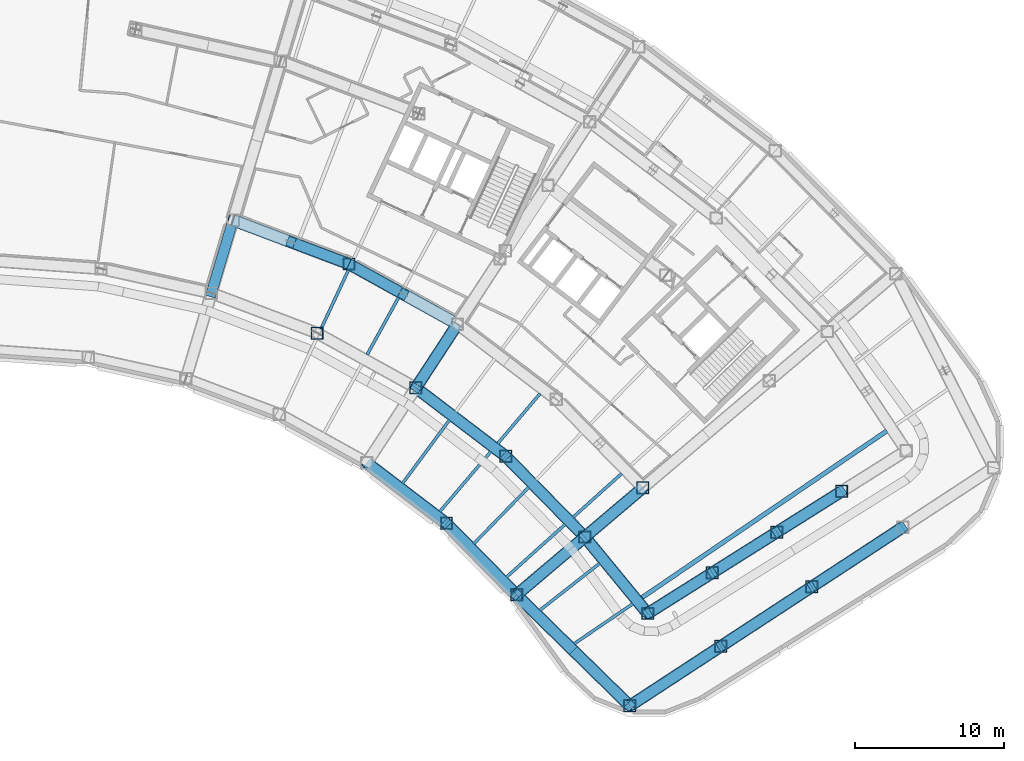
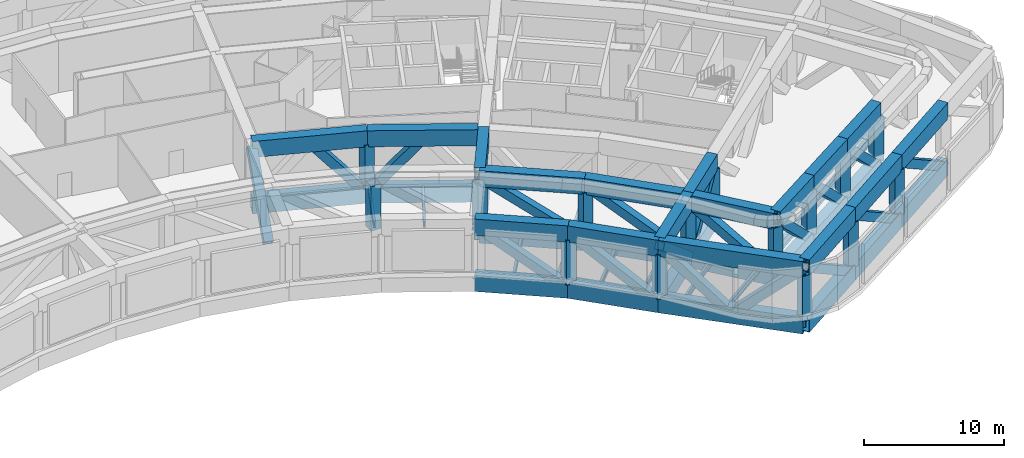
# One storey, part 5 of 30: 45 beams, 34 members.
"""IFC4 building model written with IfcOpenShell, lengths in metres."""

from ifc_helpers import new_model, si_unit, direction, frame, origin, origin_2d, place, context, subcontext, project, spatial, hollow_rectangle, i_section, extrude, material, material_profile, profile_set, type_object, element, save


model = new_model("IFC4")

# Units and contexts
model_context = context("Model", 3, precision=1e-05, world=origin(), true_north=direction((0.0, 1.0)))
body_context = subcontext(model_context, "Body", "Model", "MODEL_VIEW")
ifc_project = project(units=[si_unit("LENGTHUNIT", "METRE"), si_unit("AREAUNIT", "SQUARE_METRE"), si_unit("VOLUMEUNIT", "CUBIC_METRE"), si_unit("PLANEANGLEUNIT", "RADIAN"), si_unit("MASSUNIT", "GRAM", prefix="KILO")], contexts=[model_context])

# Site, building, storey
site_placement = place(None, origin())
site = spatial("IfcSite", under=ifc_project, at=site_placement, CompositionType="ELEMENT")
building_placement = place(site_placement, origin())
building = spatial("IfcBuilding", under=site, at=building_placement, Name="Tuul Gate Civic Tower", CompositionType="ELEMENT")
storey_placement = place(building_placement, frame((0.0, 0.0, 26.699951171875)))
storey = spatial("IfcBuildingStorey", under=building, at=storey_placement, Name="Plant and refuge floor 1", CompositionType="ELEMENT", Elevation=26.699951171875)

# Beams
ifc_material_1 = material(Name="Steel S355", Category="steel")
ifc_material_profile_1 = material_profile(ifc_material_1, i_section(OverallWidth=0.199951171875, OverallDepth=0.5, WebThickness=0.010009765625, FlangeThickness=0.01611328125, at=origin_2d()), Name="PG500x200x10x16")
ifc_profile_set_1 = profile_set([ifc_material_profile_1], Name="Steel S355")
beam_type_1 = type_object("IfcBeamType", Name="STR-FLOOR BEAM-PG500x200x10x16", PredefinedType="BEAM", material=ifc_profile_set_1)
beam_1_placement = place(storey_placement, frame((39.3515625, -33.207763671875, -0.64990234375), z_axis=(0.826599247589, 0.562790977082, 0.0), x_axis=(-0.562790977082, 0.826599247589, 0.0)))
element("IfcBeam", 1, at=beam_1_placement, inside=storey, type_object=beam_type_1, Name="Floor beam", PredefinedType="BEAM", context=body_context, shape_type="SweptSolid", body=[
    extrude(i_section(OverallWidth=0.199951171875, OverallDepth=0.5, WebThickness=0.010009765625, FlangeThickness=0.01611328125, at=origin_2d()), origin(), (0.0, 0.0, 1.0), 4.789306640625),
])
beam_2_placement = place(storey_placement, frame((37.0517578125, -30.954345703125, -0.64990234375), z_axis=(0.787004598656, 0.616947130389, 0.0), x_axis=(-0.616947130389, 0.787004598656, 0.0)))
element("IfcBeam", 2, at=beam_2_placement, inside=storey, type_object=beam_type_1, Name="Floor beam", PredefinedType="BEAM", context=body_context, shape_type="SweptSolid", body=[
    extrude(i_section(OverallWidth=0.199951171875, OverallDepth=0.5, WebThickness=0.010009765625, FlangeThickness=0.01611328125, at=origin_2d()), origin(), (0.0, 0.0, 1.0), 5.119384765625),
])
beam_3_placement = place(storey_placement, frame((34.812255859375, -28.722412109375, -0.64990234375), z_axis=(0.743879672557, 0.668313573674, 0.0), x_axis=(-0.668313573674, 0.743879672557, 0.0)))
element("IfcBeam", 3, at=beam_3_placement, inside=storey, type_object=beam_type_1, Name="Floor beam", PredefinedType="BEAM", context=body_context, shape_type="SweptSolid", body=[
    extrude(i_section(OverallWidth=0.199951171875, OverallDepth=0.5, WebThickness=0.010009765625, FlangeThickness=0.01611328125, at=origin_2d()), origin(), (0.0, 0.0, 1.0), 5.304931640625),
])
beam_4_placement = place(storey_placement, frame((39.27978515625, -24.708740234375, -0.64990234375), z_axis=(0.743850706802, 0.668345813176, 0.0), x_axis=(-0.668345813176, 0.743850706802, 0.0)))
element("IfcBeam", 4, at=beam_4_placement, inside=storey, type_object=beam_type_1, Name="Floor beam", PredefinedType="BEAM", context=body_context, shape_type="SweptSolid", body=[
    extrude(i_section(OverallWidth=0.199951171875, OverallDepth=0.5, WebThickness=0.010009765625, FlangeThickness=0.01611328125, at=origin_2d()), origin(), (0.0, 0.0, 1.0), 4.404052734375),
])
beam_5_placement = place(storey_placement, frame((32.614990234375, -26.480712890625, -0.64990234375), z_axis=(0.697369665281, 0.716711622583, 0.0), x_axis=(-0.716711622583, 0.697369665281, 0.0)))
element("IfcBeam", 5, at=beam_5_placement, inside=storey, type_object=beam_type_1, Name="Floor beam", PredefinedType="BEAM", context=body_context, shape_type="SweptSolid", body=[
    extrude(i_section(OverallWidth=0.199951171875, OverallDepth=0.5, WebThickness=0.010009765625, FlangeThickness=0.01611328125, at=origin_2d()), origin(), (0.0, 0.0, 1.0), 5.30126953125),
])
beam_6_placement = place(storey_placement, frame((30.329345703125, -24.327392578125, -0.64990234375), z_axis=(0.647740544414, 0.761861002495, 0.0), x_axis=(-0.761861002495, 0.647740544414, 0.0)))
element("IfcBeam", 6, at=beam_6_placement, inside=storey, type_object=beam_type_1, Name="Floor beam", PredefinedType="BEAM", context=body_context, shape_type="SweptSolid", body=[
    extrude(i_section(OverallWidth=0.199951171875, OverallDepth=0.5, WebThickness=0.010009765625, FlangeThickness=0.01611328125, at=origin_2d()), origin(), (0.0, 0.0, 1.0), 5.3076171875),
])
beam_7_placement = place(storey_placement, frame((34.221435546875, -19.749755859375, -0.64990234375), z_axis=(0.647733653688, 0.761866860993, 0.0), x_axis=(-0.761866860993, 0.647733653688, 0.0)))
element("IfcBeam", 7, at=beam_7_placement, inside=storey, type_object=beam_type_1, Name="Floor beam", PredefinedType="BEAM", context=body_context, shape_type="SweptSolid", body=[
    extrude(i_section(OverallWidth=0.199951171875, OverallDepth=0.5, WebThickness=0.010009765625, FlangeThickness=0.01611328125, at=origin_2d()), origin(), (0.0, 0.0, 1.0), 4.406494140625),
])
beam_8_placement = place(storey_placement, frame((27.8310546875, -22.42529296875, -0.64990234375), z_axis=(0.595176880251, 0.803594724481, 0.0), x_axis=(-0.803594724481, 0.595176880251, 0.0)))
element("IfcBeam", 8, at=beam_8_placement, inside=storey, type_object=beam_type_1, Name="Floor beam", PredefinedType="BEAM", context=body_context, shape_type="SweptSolid", body=[
    extrude(i_section(OverallWidth=0.199951171875, OverallDepth=0.5, WebThickness=0.010009765625, FlangeThickness=0.01611328125, at=origin_2d()), origin(), (0.0, 0.0, 1.0), 5.300537109375),
])
beam_9_placement = place(storey_placement, frame((25.44482421875, -13.786376953125, -0.64990234375), z_axis=(0.482327643294, 0.87599089294, 0.0), x_axis=(-0.87599089294, 0.482327643294, 0.0)))
element("IfcBeam", 9, at=beam_9_placement, inside=storey, type_object=beam_type_1, Name="Floor beam", PredefinedType="BEAM", context=body_context, shape_type="SweptSolid", body=[
    extrude(i_section(OverallWidth=0.199951171875, OverallDepth=0.5, WebThickness=0.010009765625, FlangeThickness=0.01611328125, at=origin_2d()), origin(), (0.0, 0.0, 1.0), 4.400146484375),
])
beam_10_placement = place(storey_placement, frame((22.34326171875, -12.06689453125, -0.64990234375), z_axis=(0.422536975536, 0.906345686979, 0.0), x_axis=(-0.906345686979, 0.422536975536, 0.0)))
element("IfcBeam", 10, at=beam_10_placement, inside=storey, type_object=beam_type_1, Name="Floor beam", PredefinedType="BEAM", context=body_context, shape_type="SweptSolid", body=[
    extrude(i_section(OverallWidth=0.199951171875, OverallDepth=0.5, WebThickness=0.010009765625, FlangeThickness=0.01611328125, at=origin_2d()), origin(), (0.0, 0.0, 1.0), 4.410888671875),
])
ifc_material_2 = material(Name="Steel S355", Category="steel")
ifc_material_profile_2 = material_profile(ifc_material_2, i_section(OverallWidth=0.300048828125, OverallDepth=0.800048828125, WebThickness=0.013916015625, FlangeThickness=0.02490234375, at=origin_2d()), Name="PG800x300x14x25")
ifc_profile_set_2 = profile_set([ifc_material_profile_2], Name="Steel S355")
beam_type_2 = type_object("IfcBeamType", Name="STR-FLOOR BEAM-PG800x300x14x25", PredefinedType="BEAM", material=ifc_profile_set_2)
beam_11_placement = place(storey_placement, frame((43.891357421875, -30.116943359375, -0.800048828125), z_axis=(0.826601550665, 0.562787594424, 0.0), x_axis=(-0.562787594424, 0.826601550665, 0.0)))
element("IfcBeam", 11, at=beam_11_placement, inside=storey, type_object=beam_type_2, Name="Floor beam", PredefinedType="BEAM", context=body_context, shape_type="SweptSolid", body=[
    extrude(i_section(OverallWidth=0.300048828125, OverallDepth=0.800048828125, WebThickness=0.013916015625, FlangeThickness=0.02490234375, at=origin_2d()), origin(), (0.0, 0.0, 1.0), 19.935546875),
])
ifc_material_3 = material(Name="Steel S460", Category="steel")
ifc_material_profile_3 = material_profile(ifc_material_3, hollow_rectangle(XDim=0.800048828125, YDim=1.39990234375, WallThickness=0.0400390625, at=origin_2d()), Name="BOX1400x800x40")
ifc_profile_set_3 = profile_set([ifc_material_profile_3], Name="Steel S460")
beam_type_3 = type_object("IfcBeamType", Name="STR-TRANSFER TRUSS CHORD-BOX1400x800x40", PredefinedType="BEAM", material=ifc_profile_set_3)
beam_12_placement = place(storey_placement, frame((43.981689453125, -22.719970703125, -1.099853515625), z_axis=(-0.762844506891, -0.646581981118, 0.0), x_axis=(0.646581981118, -0.762844506891, 0.0)))
element("IfcBeam", 12, at=beam_12_placement, inside=storey, type_object=beam_type_3, Name="Radial truss bottom chord", PredefinedType="BEAM", context=body_context, shape_type="SweptSolid", body=[
    extrude(hollow_rectangle(XDim=0.800048828125, YDim=1.39990234375, WallThickness=0.0400390625, at=origin_2d()), origin(), (0.0, 0.0, 1.0), 5.11328125),
])
beam_13_placement = place(storey_placement, frame((40.0810546875, -26.026123046875, -1.099853515625), z_axis=(-0.76282876196, -0.646600556701, 0.0), x_axis=(0.646600556701, -0.76282876196, 0.0)))
element("IfcBeam", 13, at=beam_13_placement, inside=storey, type_object=beam_type_3, Name="Radial truss bottom chord", PredefinedType="BEAM", context=body_context, shape_type="SweptSolid", body=[
    extrude(hollow_rectangle(XDim=0.800048828125, YDim=1.39990234375, WallThickness=0.0400390625, at=origin_2d()), origin(), (0.0, 0.0, 1.0), 6.015869140625),
])
beam_14_placement = place(storey_placement, frame((43.981689453125, -22.719970703125, 3.800048828125), z_axis=(-0.762844506891, -0.646581981118, 0.0), x_axis=(0.646581981118, -0.762844506891, 0.0)))
element("IfcBeam", 14, at=beam_14_placement, inside=storey, type_object=beam_type_3, Name="Radial truss top chord", PredefinedType="BEAM", context=body_context, shape_type="SweptSolid", body=[
    extrude(hollow_rectangle(XDim=0.800048828125, YDim=1.39990234375, WallThickness=0.0400390625, at=origin_2d()), origin(), (0.0, 0.0, 1.0), 5.11328125),
])
beam_15_placement = place(storey_placement, frame((40.0810546875, -26.026123046875, 3.800048828125), z_axis=(-0.76282876196, -0.646600556701, 0.0), x_axis=(0.646600556701, -0.76282876196, 0.0)))
element("IfcBeam", 15, at=beam_15_placement, inside=storey, type_object=beam_type_3, Name="Radial truss top chord", PredefinedType="BEAM", context=body_context, shape_type="SweptSolid", body=[
    extrude(hollow_rectangle(XDim=0.800048828125, YDim=1.39990234375, WallThickness=0.0400390625, at=origin_2d()), origin(), (0.0, 0.0, 1.0), 6.015869140625),
])
for number, where, z_axis, x_axis, name in (
    (16, (31.522216796875, -11.724365234375, -1.099853515625), (-0.546697363807, -0.837330276776, 0.0), (0.837330276776, -0.546697363807, 0.0), "Radial truss bottom chord"),
    (17, (31.522216796875, -11.724365234375, 3.800048828125), (-0.546697363807, -0.837330276776, 0.0), (0.837330276776, -0.546697363807, 0.0), "Radial truss top chord"),
):
    element("IfcBeam", number, at=place(storey_placement, frame(where, z_axis=z_axis, x_axis=x_axis)), inside=storey, type_object=beam_type_3, Name=name, PredefinedType="BEAM", context=body_context, shape_type="SweptSolid", body=[
        extrude(hollow_rectangle(XDim=0.800048828125, YDim=1.39990234375, WallThickness=0.0400390625, at=origin_2d()), origin(), (0.0, 0.0, 1.0), 5.11328125),
    ])
for number, where, z_axis, x_axis, name in (
    (18, (35.491943359375, -29.916015625, -1.099853515625), (0.714252924181, -0.699887676916, 0.0), (0.699887676916, 0.714252924181, 0.0), "Belt truss bottom chord"),
    (19, (35.491943359375, -29.916015625, 3.800048828125), (0.714252924181, -0.699887676916, 0.0), (0.699887676916, 0.714252924181, 0.0), "Belt truss top chord"),
):
    element("IfcBeam", number, at=place(storey_placement, frame(where, z_axis=z_axis, x_axis=x_axis)), inside=storey, type_object=beam_type_3, Name=name, PredefinedType="BEAM", context=body_context, shape_type="SweptSolid", body=[
        extrude(hollow_rectangle(XDim=0.800048828125, YDim=1.39990234375, WallThickness=0.0400390625, at=origin_2d()), origin(), (0.0, 0.0, 1.0), 10.656005859375),
    ])
for number, where, z_axis, x_axis, name in (
    (20, (24.236083984375, -7.68505859375, -1.099853515625), (0.874604191817, -0.484837609572, 0.0), (0.484837609572, 0.874604191817, 0.0), "Belt truss bottom chord"),
    (21, (24.236083984375, -7.68505859375, 3.800048828125), (0.874604191817, -0.484837609572, 0.0), (0.484837609572, 0.874604191817, 0.0), "Belt truss top chord"),
):
    element("IfcBeam", number, at=place(storey_placement, frame(where, z_axis=z_axis, x_axis=x_axis)), inside=storey, type_object=beam_type_3, Name=name, PredefinedType="BEAM", context=body_context, shape_type="SweptSolid", body=[
        extrude(hollow_rectangle(XDim=0.800048828125, YDim=1.39990234375, WallThickness=0.0400390625, at=origin_2d()), origin(), (0.0, 0.0, 1.0), 7.929931640625),
    ])
for number, where, z_axis, x_axis, name in (
    (22, (16.444091796875, -4.739013671875, -1.099853515625), (0.935376677386, -0.353653038163, 0.0), (0.353653038163, 0.935376677386, 0.0), "Belt truss bottom chord"),
    (23, (16.444091796875, -4.739013671875, 3.800048828125), (0.935376677386, -0.353653038163, 0.0), (0.353653038163, 0.935376677386, 0.0), "Belt truss top chord"),
):
    element("IfcBeam", number, at=place(storey_placement, frame(where, z_axis=z_axis, x_axis=x_axis)), inside=storey, type_object=beam_type_3, Name=name, PredefinedType="BEAM", context=body_context, shape_type="SweptSolid", body=[
        extrude(hollow_rectangle(XDim=0.800048828125, YDim=1.39990234375, WallThickness=0.0400390625, at=origin_2d()), origin(), (0.0, 0.0, 1.0), 8.330322265625),
    ])
for number, where, z_axis, x_axis, name in (
    (24, (28.72705078125, -16.006103515625, -1.099853515625), (0.795625835802, -0.605788353638, 0.0), (0.605788353638, 0.795625835802, 0.0), "Belt truss bottom chord"),
    (25, (28.72705078125, -16.006103515625, 3.800048828125), (0.795625835802, -0.605788353638, 0.0), (0.605788353638, 0.795625835802, 0.0), "Belt truss top chord"),
):
    element("IfcBeam", number, at=place(storey_placement, frame(where, z_axis=z_axis, x_axis=x_axis)), inside=storey, type_object=beam_type_3, Name=name, PredefinedType="BEAM", context=body_context, shape_type="SweptSolid", body=[
        extrude(hollow_rectangle(XDim=0.800048828125, YDim=1.39990234375, WallThickness=0.0400390625, at=origin_2d()), origin(), (0.0, 0.0, 1.0), 7.591552734375),
    ])
for number, where, z_axis, x_axis, name in (
    (26, (34.76708984375, -20.60498046875, -1.099853515625), (0.700028321622, -0.714115081011, 0.0), (0.714115081011, 0.700028321622, 0.0), "Belt truss bottom chord"),
    (27, (34.76708984375, -20.60498046875, 3.800048828125), (0.700028321622, -0.714115081011, 0.0), (0.714115081011, 0.700028321622, 0.0), "Belt truss top chord"),
):
    element("IfcBeam", number, at=place(storey_placement, frame(where, z_axis=z_axis, x_axis=x_axis)), inside=storey, type_object=beam_type_3, Name=name, PredefinedType="BEAM", context=body_context, shape_type="SweptSolid", body=[
        extrude(hollow_rectangle(XDim=0.800048828125, YDim=1.39990234375, WallThickness=0.0400390625, at=origin_2d()), origin(), (0.0, 0.0, 1.0), 7.591064453125),
    ])
for number, where, z_axis, x_axis, name in (
    (28, (43.10302734375, -37.3740234375, -1.099853515625), (0.836738253905, 0.547603044597, 0.0), (-0.547603044597, 0.836738253905, 0.0), "Belt truss bottom chord"),
    (29, (43.10302734375, -37.3740234375, 3.800048828125), (0.836738253905, 0.547603044597, 0.0), (-0.547603044597, 0.836738253905, 0.0), "Belt truss top chord"),
):
    element("IfcBeam", number, at=place(storey_placement, frame(where, z_axis=z_axis, x_axis=x_axis)), inside=storey, type_object=beam_type_3, Name=name, PredefinedType="BEAM", context=body_context, shape_type="SweptSolid", body=[
        extrude(hollow_rectangle(XDim=0.800048828125, YDim=1.39990234375, WallThickness=0.0400390625, at=origin_2d()), origin(), (0.0, 0.0, 1.0), 7.30810546875),
    ])
for number, where, z_axis, x_axis, name in (
    (30, (55.33203125, -29.37109375, -1.099853515625), (0.836722946883, 0.547626433036, 0.0), (-0.547626433036, 0.836722946883, 0.0), "Belt truss bottom chord"),
    (31, (55.33203125, -29.37109375, 3.800048828125), (0.836722946883, 0.547626433036, 0.0), (-0.547626433036, 0.836722946883, 0.0), "Belt truss top chord"),
):
    element("IfcBeam", number, at=place(storey_placement, frame(where, z_axis=z_axis, x_axis=x_axis)), inside=storey, type_object=beam_type_3, Name=name, PredefinedType="BEAM", context=body_context, shape_type="SweptSolid", body=[
        extrude(hollow_rectangle(XDim=0.800048828125, YDim=1.39990234375, WallThickness=0.0400390625, at=origin_2d()), origin(), (0.0, 0.0, 1.0), 7.308349609375),
    ])
for number, where, z_axis, x_axis, name in (
    (32, (49.218017578125, -33.3720703125, -1.099853515625), (0.836759414519, 0.547570709785, 0.0), (-0.547570709785, 0.836759414519, 0.0), "Belt truss bottom chord"),
    (33, (49.218017578125, -33.3720703125, 3.800048828125), (0.836759414519, 0.547570709785, 0.0), (-0.547570709785, 0.836759414519, 0.0), "Belt truss top chord"),
):
    element("IfcBeam", number, at=place(storey_placement, frame(where, z_axis=z_axis, x_axis=x_axis)), inside=storey, type_object=beam_type_3, Name=name, PredefinedType="BEAM", context=body_context, shape_type="SweptSolid", body=[
        extrude(hollow_rectangle(XDim=0.800048828125, YDim=1.39990234375, WallThickness=0.0400390625, at=origin_2d()), origin(), (0.0, 0.0, 1.0), 7.306884765625),
    ])
for number, where, z_axis, x_axis, name in (
    (34, (30.785888671875, -25.114990234375, -1.099853515625), (0.700008232447, -0.714134773349, 0.0), (0.714134773349, 0.700008232447, 0.0), "Belt truss bottom chord"),
    (35, (30.785888671875, -25.114990234375, 3.800048828125), (0.700008232447, -0.714134773349, 0.0), (0.714134773349, 0.700008232447, 0.0), "Belt truss top chord"),
):
    element("IfcBeam", number, at=place(storey_placement, frame(where, z_axis=z_axis, x_axis=x_axis)), inside=storey, type_object=beam_type_3, Name=name, PredefinedType="BEAM", context=body_context, shape_type="SweptSolid", body=[
        extrude(hollow_rectangle(XDim=0.800048828125, YDim=1.39990234375, WallThickness=0.0400390625, at=origin_2d()), origin(), (0.0, 0.0, 1.0), 6.722900390625),
    ])
for number, where, z_axis, x_axis, name in (
    (36, (25.43798828125, -21.04296875, -1.099853515625), (0.795615946929, -0.605801341193, 0.0), (0.605801341193, 0.795615946929, 0.0), "Belt truss bottom chord"),
    (37, (25.43798828125, -21.04296875, 3.800048828125), (0.795615946929, -0.605801341193, 0.0), (0.605801341193, 0.795615946929, 0.0), "Belt truss top chord"),
):
    element("IfcBeam", number, at=place(storey_placement, frame(where, z_axis=z_axis, x_axis=x_axis)), inside=storey, type_object=beam_type_3, Name=name, PredefinedType="BEAM", context=body_context, shape_type="SweptSolid", body=[
        extrude(hollow_rectangle(XDim=0.800048828125, YDim=1.39990234375, WallThickness=0.0400390625, at=origin_2d()), origin(), (0.0, 0.0, 1.0), 6.7216796875),
    ])
for number, where, z_axis, x_axis, name in (
    (38, (40.334716796875, -26.335205078125, -1.099853515625), (0.63440876246, -0.772997750394, 0.0), (0.772997750394, 0.63440876246, 0.0), "Belt truss bottom chord"),
    (39, (40.334716796875, -26.335205078125, 3.800048828125), (0.63440876246, -0.772997750394, 0.0), (0.772997750394, 0.63440876246, 0.0), "Belt truss top chord"),
):
    element("IfcBeam", number, at=place(storey_placement, frame(where, z_axis=z_axis, x_axis=x_axis)), inside=storey, type_object=beam_type_3, Name=name, PredefinedType="BEAM", context=body_context, shape_type="SweptSolid", body=[
        extrude(hollow_rectangle(XDim=0.800048828125, YDim=1.39990234375, WallThickness=0.0400390625, at=origin_2d()), origin(), (0.0, 0.0, 1.0), 6.251953125),
    ])
for number, where, z_axis, x_axis, name in (
    (40, (48.64306640625, -28.43408203125, -1.099853515625), (0.846178819959, 0.53289905672, 0.0), (-0.53289905672, 0.846178819959, 0.0), "Belt truss bottom chord"),
    (41, (48.64306640625, -28.43408203125, 3.800048828125), (0.846178819959, 0.53289905672, 0.0), (-0.53289905672, 0.846178819959, 0.0), "Belt truss top chord"),
):
    element("IfcBeam", number, at=place(storey_placement, frame(where, z_axis=z_axis, x_axis=x_axis)), inside=storey, type_object=beam_type_3, Name=name, PredefinedType="BEAM", context=body_context, shape_type="SweptSolid", body=[
        extrude(hollow_rectangle(XDim=0.800048828125, YDim=1.39990234375, WallThickness=0.0400390625, at=origin_2d()), origin(), (0.0, 0.0, 1.0), 5.132568359375),
    ])
for number, where, z_axis, x_axis, name in (
    (42, (52.986083984375, -25.698974609375, -1.099853515625), (0.8461327144, 0.532972259712, 0.0), (-0.532972259712, 0.8461327144, 0.0), "Belt truss bottom chord"),
    (43, (52.986083984375, -25.698974609375, 3.800048828125), (0.8461327144, 0.532972259712, 0.0), (-0.532972259712, 0.8461327144, 0.0), "Belt truss top chord"),
):
    element("IfcBeam", number, at=place(storey_placement, frame(where, z_axis=z_axis, x_axis=x_axis)), inside=storey, type_object=beam_type_3, Name=name, PredefinedType="BEAM", context=body_context, shape_type="SweptSolid", body=[
        extrude(hollow_rectangle(XDim=0.800048828125, YDim=1.39990234375, WallThickness=0.0400390625, at=origin_2d()), origin(), (0.0, 0.0, 1.0), 5.13134765625),
    ])
for number, where, z_axis, x_axis, name in (
    (44, (44.301025390625, -31.16796875, -1.099853515625), (0.84623204551, 0.532814531663, 0.0), (-0.532814531663, 0.84623204551, 0.0), "Belt truss bottom chord"),
    (45, (44.301025390625, -31.16796875, 3.800048828125), (0.84623204551, 0.532814531663, 0.0), (-0.532814531663, 0.84623204551, 0.0), "Belt truss top chord"),
):
    element("IfcBeam", number, at=place(storey_placement, frame(where, z_axis=z_axis, x_axis=x_axis)), inside=storey, type_object=beam_type_3, Name=name, PredefinedType="BEAM", context=body_context, shape_type="SweptSolid", body=[
        extrude(hollow_rectangle(XDim=0.800048828125, YDim=1.39990234375, WallThickness=0.0400390625, at=origin_2d()), origin(), (0.0, 0.0, 1.0), 5.131103515625),
    ])

# Members
ifc_material_4 = material(Name="Steel S355", Category="steel")
ifc_material_profile_4 = material_profile(ifc_material_4, hollow_rectangle(XDim=0.699951171875, YDim=0.699951171875, WallThickness=0.031982421875, at=origin_2d()), Name="BOX700x700x32")
ifc_profile_set_4 = profile_set([ifc_material_profile_4], Name="Steel S355")
member_type_1 = type_object("IfcMemberType", Name="STR-TRANSFER TRUSS DIAGONAL-BOX700x700x32", PredefinedType="BRACE", material=ifc_profile_set_4)
for number, where, z_axis, x_axis, name in (
    (46, (14.984619140625, -9.643310546875, -1.103515625), (0.205927899284, 0.692003114579, 0.691899840808), (-0.958461699543, 0.285221265877, 0.0), "Radial truss web"),
    (47, (40.078369140625, -26.028564453125, -1.103515625), (0.550760980506, 0.466833530636, 0.691902303093), (-0.646591774101, 0.762836206315, 0.0), "Radial truss web"),
):
    element("IfcMember", number, at=place(storey_placement, frame(where, z_axis=z_axis, x_axis=x_axis)), inside=storey, type_object=member_type_1, Name=name, PredefinedType="BRACE", context=body_context, shape_type="SweptSolid", body=[
        extrude(hollow_rectangle(XDim=0.699951171875, YDim=0.699951171875, WallThickness=0.031982421875, at=origin_2d()), origin(), (0.0, 0.0, 1.0), 7.092041015625),
    ])
member_1_placement = place(storey_placement, frame((40.083984375, -26.023681640625, -1.10302734375), z_axis=(-0.591464339795, -0.501335243225, 0.631532191303), x_axis=(0.64659246108, -0.76283562402, 0.0)))
element("IfcMember", 48, at=member_1_placement, inside=storey, type_object=member_type_1, Name="Radial truss web", PredefinedType="BRACE", context=body_context, shape_type="SweptSolid", body=[
    extrude(hollow_rectangle(XDim=0.699951171875, YDim=0.699951171875, WallThickness=0.031982421875, at=origin_2d()), origin(), (0.0, 0.0, 1.0), 7.768798828125),
])
member_2_placement = place(storey_placement, frame((31.5244140625, -11.72119140625, -1.103515625), z_axis=(-0.394728924971, -0.604571737095, 0.691868550013), x_axis=(0.837329742896, -0.546698181506, 0.0)))
element("IfcMember", 49, at=member_2_placement, inside=storey, type_object=member_type_1, Name="Radial truss web", PredefinedType="BRACE", context=body_context, shape_type="SweptSolid", body=[
    extrude(hollow_rectangle(XDim=0.699951171875, YDim=0.699951171875, WallThickness=0.031982421875, at=origin_2d()), origin(), (0.0, 0.0, 1.0), 7.09228515625),
])
for number, where, z_axis, x_axis, name in (
    (50, (39.300048828125, -33.6474609375, -1.103271484375), (-0.525729167406, 0.515153284354, 0.676923877669), (-0.699886099158, -0.714254470203, 0.0), "Belt truss web"),
    (51, (39.294921875, -33.642333984375, -1.103271484375), (0.525729167406, -0.515153284354, 0.676923877669), (0.699886099158, 0.714254470203, 0.0), "Belt truss web"),
):
    element("IfcMember", number, at=place(storey_placement, frame(where, z_axis=z_axis, x_axis=x_axis)), inside=storey, type_object=member_type_1, Name=name, PredefinedType="BRACE", context=body_context, shape_type="SweptSolid", body=[
        extrude(hollow_rectangle(XDim=0.699951171875, YDim=0.699951171875, WallThickness=0.031982421875, at=origin_2d()), origin(), (0.0, 0.0, 1.0), 7.24853515625),
    ])
member_3_placement = place(storey_placement, frame((24.233154296875, -7.683349609375, -1.103759765625), z_axis=(0.566473312925, -0.314050439643, 0.761892582392), x_axis=(0.484867672757, 0.874587525589, 0.0)))
element("IfcMember", 52, at=member_3_placement, inside=storey, type_object=member_type_1, Name="Belt truss web", PredefinedType="BRACE", context=body_context, shape_type="SweptSolid", body=[
    extrude(hollow_rectangle(XDim=0.699951171875, YDim=0.699951171875, WallThickness=0.031982421875, at=origin_2d()), origin(), (0.0, 0.0, 1.0), 6.44140625),
])
member_4_placement = place(storey_placement, frame((24.239013671875, -7.68603515625, -1.103759765625), z_axis=(-0.605811222187, 0.229012788866, 0.761935630883), x_axis=(-0.353604282833, -0.935395109653, 0.0)))
element("IfcMember", 53, at=member_4_placement, inside=storey, type_object=member_type_1, Name="Belt truss web", PredefinedType="BRACE", context=body_context, shape_type="SweptSolid", body=[
    extrude(hollow_rectangle(XDim=0.699951171875, YDim=0.699951171875, WallThickness=0.031982421875, at=origin_2d()), origin(), (0.0, 0.0, 1.0), 6.441162109375),
])
member_5_placement = place(storey_placement, frame((34.770263671875, -20.607666015625, -1.102783203125), z_axis=(-0.668452556241, 0.508997729162, 0.542302952015), x_axis=(-0.605817680951, -0.795603505176, 0.0)))
element("IfcMember", 54, at=member_5_placement, inside=storey, type_object=member_type_1, Name="Belt truss web", PredefinedType="BRACE", context=body_context, shape_type="SweptSolid", body=[
    extrude(hollow_rectangle(XDim=0.699951171875, YDim=0.699951171875, WallThickness=0.031982421875, at=origin_2d()), origin(), (0.0, 0.0, 1.0), 9.045654296875),
])
member_6_placement = place(storey_placement, frame((40.083984375, -26.029052734375, -1.102783203125), z_axis=(-0.588133006226, 0.599982037421, 0.542329348054), x_axis=(-0.714123220744, -0.700020017995, 0.0)))
element("IfcMember", 55, at=member_6_placement, inside=storey, type_object=member_type_1, Name="Belt truss web", PredefinedType="BRACE", context=body_context, shape_type="SweptSolid", body=[
    extrude(hollow_rectangle(XDim=0.699951171875, YDim=0.699951171875, WallThickness=0.031982421875, at=origin_2d()), origin(), (0.0, 0.0, 1.0), 9.045166015625),
])
for number, where, z_axis, x_axis, name in (
    (56, (49.221435546875, -33.36962890625, -1.102783203125), (-0.694973014637, -0.454843555063, 0.556893032228), (0.547618823889, -0.836727926941, 0.0), "Belt truss web"),
    (57, (61.450439453125, -25.36669921875, -1.102783203125), (-0.694973014637, -0.454843555063, 0.556893032228), (0.547618823889, -0.836727926941, 0.0), "Belt truss web"),
):
    element("IfcMember", number, at=place(storey_placement, frame(where, z_axis=z_axis, x_axis=x_axis)), inside=storey, type_object=member_type_1, Name=name, PredefinedType="BRACE", context=body_context, shape_type="SweptSolid", body=[
        extrude(hollow_rectangle(XDim=0.699951171875, YDim=0.699951171875, WallThickness=0.031982421875, at=origin_2d()), origin(), (0.0, 0.0, 1.0), 8.808837890625),
    ])
member_7_placement = place(storey_placement, frame((55.33544921875, -29.36865234375, -1.102783203125), z_axis=(-0.694950735563, -0.454790663251, 0.556964027349), x_axis=(0.547586528904, -0.836749062361, 0.0)))
element("IfcMember", 58, at=member_7_placement, inside=storey, type_object=member_type_1, Name="Belt truss web", PredefinedType="BRACE", context=body_context, shape_type="SweptSolid", body=[
    extrude(hollow_rectangle(XDim=0.699951171875, YDim=0.699951171875, WallThickness=0.031982421875, at=origin_2d()), origin(), (0.0, 0.0, 1.0), 8.8076171875),
])
member_8_placement = place(storey_placement, frame((35.494873046875, -29.9189453125, -1.102783203125), z_axis=(-0.565693607327, 0.577125313988, 0.588996701675), x_axis=(-0.714144297076, -0.699998516394, 0.0)))
element("IfcMember", 59, at=member_8_placement, inside=storey, type_object=member_type_1, Name="Belt truss web", PredefinedType="BRACE", context=body_context, shape_type="SweptSolid", body=[
    extrude(hollow_rectangle(XDim=0.699951171875, YDim=0.699951171875, WallThickness=0.031982421875, at=origin_2d()), origin(), (0.0, 0.0, 1.0), 8.3291015625),
])
member_9_placement = place(storey_placement, frame((30.789306640625, -25.117431640625, -1.102783203125), z_axis=(-0.64293827136, 0.4895324728, 0.589057159616), x_axis=(-0.605788517004, -0.795625711416, 0.0)))
element("IfcMember", 60, at=member_9_placement, inside=storey, type_object=member_type_1, Name="Belt truss web", PredefinedType="BRACE", context=body_context, shape_type="SweptSolid", body=[
    extrude(hollow_rectangle(XDim=0.699951171875, YDim=0.699951171875, WallThickness=0.031982421875, at=origin_2d()), origin(), (0.0, 0.0, 1.0), 8.328125),
])
member_10_placement = place(storey_placement, frame((44.303466796875, -31.171142578125, -1.10302734375), z_axis=(-0.510777507861, 0.622371738603, 0.593093379201), x_axis=(-0.7730042273, -0.634400870567, 0.0)))
element("IfcMember", 61, at=member_10_placement, inside=storey, type_object=member_type_1, Name="Belt truss web", PredefinedType="BRACE", context=body_context, shape_type="SweptSolid", body=[
    extrude(hollow_rectangle(XDim=0.699951171875, YDim=0.699951171875, WallThickness=0.031982421875, at=origin_2d()), origin(), (0.0, 0.0, 1.0), 8.27197265625),
])
member_11_placement = place(storey_placement, frame((52.989013671875, -25.697021484375, -1.103515625), z_axis=(-0.612033292448, -0.385449730997, 0.690538741715), x_axis=(0.532907754035, -0.846173342578, 0.0)))
element("IfcMember", 62, at=member_11_placement, inside=storey, type_object=member_type_1, Name="Belt truss web", PredefinedType="BRACE", context=body_context, shape_type="SweptSolid", body=[
    extrude(hollow_rectangle(XDim=0.699951171875, YDim=0.699951171875, WallThickness=0.031982421875, at=origin_2d()), origin(), (0.0, 0.0, 1.0), 7.10595703125),
])
member_12_placement = place(storey_placement, frame((57.3310546875, -22.962158203125, -1.103515625), z_axis=(-0.611955437448, -0.385452897097, 0.69060597065), x_axis=(0.532959429868, -0.846140795681, 0.0)))
element("IfcMember", 63, at=member_12_placement, inside=storey, type_object=member_type_1, Name="Belt truss web", PredefinedType="BRACE", context=body_context, shape_type="SweptSolid", body=[
    extrude(hollow_rectangle(XDim=0.699951171875, YDim=0.699951171875, WallThickness=0.031982421875, at=origin_2d()), origin(), (0.0, 0.0, 1.0), 7.105224609375),
])
member_13_placement = place(storey_placement, frame((48.64599609375, -28.43212890625, -1.103515625), z_axis=(-0.611987853794, -0.385335867066, 0.690642553251), x_axis=(0.53282335123, -0.846226492367, 0.0)))
element("IfcMember", 64, at=member_13_placement, inside=storey, type_object=member_type_1, Name="Belt truss web", PredefinedType="BRACE", context=body_context, shape_type="SweptSolid", body=[
    extrude(hollow_rectangle(XDim=0.699951171875, YDim=0.699951171875, WallThickness=0.031982421875, at=origin_2d()), origin(), (0.0, 0.0, 1.0), 7.10498046875),
])
ifc_material_5 = material(Name="Steel S355", Category="steel")
ifc_material_profile_5 = material_profile(ifc_material_5, hollow_rectangle(XDim=0.800048828125, YDim=0.800048828125, WallThickness=0.034912109375, at=origin_2d()), Name="BOX800x800x35")
ifc_profile_set_5 = profile_set([ifc_material_profile_5], Name="Steel S355")
member_type_2 = type_object("IfcMemberType", Name="STR-TRUSS POST-BOX800x800x35", PredefinedType="POST", material=ifc_profile_set_5)
for number, where, z_axis, x_axis, name in (
    (65, (43.981689453125, -22.719970703125, -0.594970703125), (0.0, 0.0, 1.0), (1.0, 0.0, 0.0), "Radial truss post"),
    (66, (40.0810546875, -26.026123046875, -0.594970703125), (0.0, 0.0, 1.0), (1.0, 0.0, 0.0), "Radial truss post"),
    (67, (35.491943359375, -29.916015625, -0.594970703125), (0.0, 0.0, 1.0), (1.0, 0.0, 0.0), "Radial truss post"),
    (68, (28.726806640625, -16.005859375, -0.594970703125), (0.0, 0.0, 1.0), (1.0, 0.0, 0.0), "Radial truss post"),
    (69, (43.10302734375, -37.3740234375, -0.594970703125), (0.0, 0.0, 1.0), (1.0, 0.0, 0.0), "Belt truss post"),
    (70, (24.236083984375, -7.68505859375, -0.594970703125), (0.0, 0.0, 1.0), (1.0, 0.0, 0.0), "Belt truss post"),
    (71, (22.0869140625, -12.324951171875, -0.594970703125), (0.0, 0.0, 1.0), (1.0, 0.0, 0.0), "Belt truss post"),
    (72, (34.76708984375, -20.60498046875, -0.594970703125), (0.0, 0.0, 1.0), (1.0, 0.0, 0.0), "Belt truss post"),
    (73, (49.218017578125, -33.3720703125, -0.594970703125), (0.0, 0.0, 1.0), (1.0, 0.0, 0.0), "Belt truss post"),
    (74, (55.33203125, -29.37109375, -0.594970703125), (0.0, 0.0, 1.0), (1.0, 0.0, 0.0), "Belt truss post"),
    (75, (30.785888671875, -25.114990234375, -0.594970703125), (0.0, 0.0, 1.0), (1.0, 0.0, 0.0), "Belt truss post"),
    (76, (44.301025390625, -31.16796875, -0.594970703125), (0.0, 0.0, 1.0), (1.0, 0.0, 0.0), "Belt truss post"),
    (77, (48.64306640625, -28.43408203125, -0.594970703125), (0.0, 0.0, 1.0), (1.0, 0.0, 0.0), "Belt truss post"),
    (78, (52.986083984375, -25.698974609375, -0.594970703125), (0.0, 0.0, 1.0), (1.0, 0.0, 0.0), "Belt truss post"),
    (79, (57.327880859375, -22.964111328125, -0.594970703125), (0.0, 0.0, 1.0), (1.0, 0.0, 0.0), "Belt truss post"),
):
    element("IfcMember", number, at=place(storey_placement, frame(where, z_axis=z_axis, x_axis=x_axis)), inside=storey, type_object=member_type_2, Name=name, PredefinedType="POST", context=body_context, shape_type="SweptSolid", body=[
        extrude(hollow_rectangle(XDim=0.800048828125, YDim=0.800048828125, WallThickness=0.034912109375, at=origin_2d()), origin(), (0.0, 0.0, 1.0), 3.89013671875),
    ])

save(model, "model.ifc")
